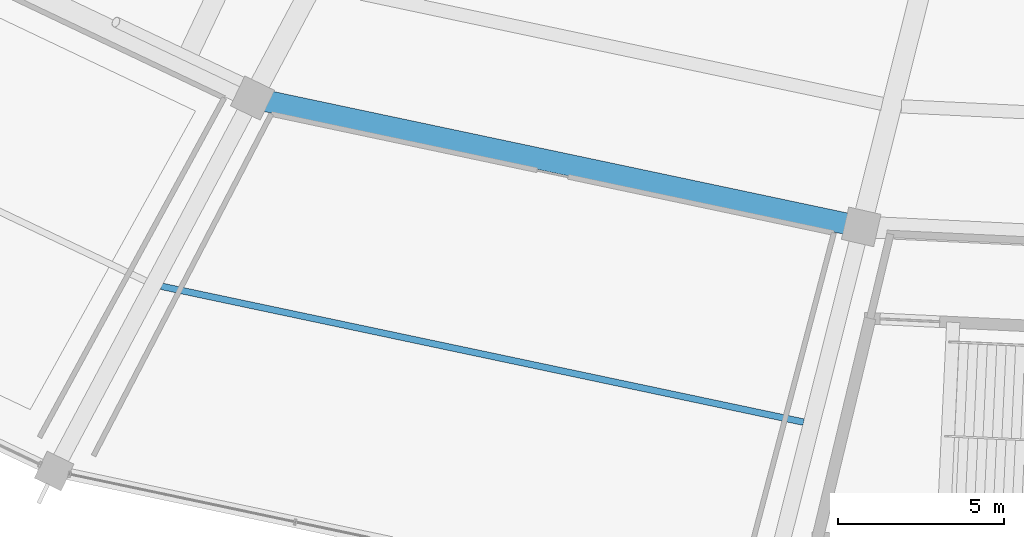
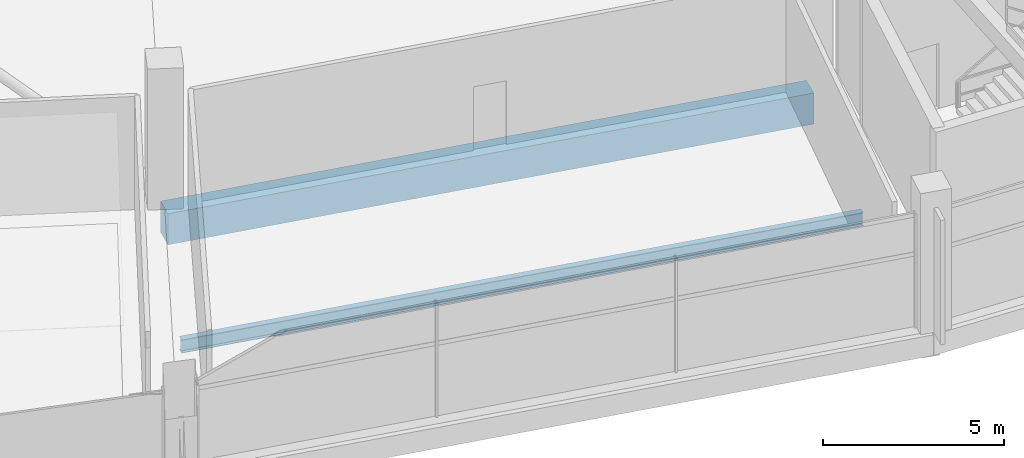
# One storey, part 16 of 156: 2 beams.
"""IFC4 building model written with IfcOpenShell, lengths in metres."""

from ifc_helpers import new_model, si_unit, direction, frame, origin, origin_2d, place, context, subcontext, project, spatial, rectangle, i_section, extrude, material, material_profile, profile_set, type_object, element, save


model = new_model("IFC4")

# Units and contexts
model_context = context("Model", 3, precision=1e-05, world=origin(), true_north=direction((0.0, 1.0)))
body_context = subcontext(model_context, "Body", "Model", "MODEL_VIEW")
ifc_project = project(units=[si_unit("LENGTHUNIT", "METRE"), si_unit("AREAUNIT", "SQUARE_METRE"), si_unit("VOLUMEUNIT", "CUBIC_METRE"), si_unit("PLANEANGLEUNIT", "RADIAN"), si_unit("MASSUNIT", "GRAM", prefix="KILO")], contexts=[model_context])

# Site, building, storey
site_placement = place(None, origin())
site = spatial("IfcSite", under=ifc_project, at=site_placement, CompositionType="ELEMENT")
building_placement = place(site_placement, origin())
building = spatial("IfcBuilding", under=site, at=building_placement, Name="Kazemori Nagisa Stadium", CompositionType="ELEMENT")
storey_placement = place(building_placement, frame((0.0, 0.0, 5.780029296875)))
storey = spatial("IfcBuildingStorey", under=building, at=storey_placement, Name="L01", CompositionType="ELEMENT", Elevation=5.780029296875)

# Beams
ifc_material_1 = material(Name="Concrete C40/50 (Fc42)", Category="concrete")
ifc_material_profile_1 = material_profile(ifc_material_1, rectangle(XDim=0.64990234375, YDim=1.050048828125, at=origin_2d()), Name="RC-BM-650x1050")
ifc_profile_set_1 = profile_set([ifc_material_profile_1], Name="Concrete C40/50 (Fc42)")
beam_type_1 = type_object("IfcBeamType", Name="Beam_BG-RC650X1050", PredefinedType="BEAM", material=ifc_profile_set_1)
beam_1_placement = place(storey_placement, frame((86.18798828125, 32.80078125, -0.804931640625), z_axis=(0.978345149833, -0.206980114499, 0.0), x_axis=(0.206980114499, 0.978345149833, 0.0)))
element("IfcBeam", 1, at=beam_1_placement, inside=storey, type_object=beam_type_1, Name="Ring girder BG-RC650X1050 L01 R2-20", PredefinedType="BEAM", context=body_context, shape_type="SweptSolid", body=[
    extrude(rectangle(XDim=0.64990234375, YDim=1.050048828125, at=origin_2d()), origin(), (0.0, 0.0, 1.0), 18.791259765625),
])
ifc_material_2 = material(Name="Steel SN490B", Category="steel")
ifc_material_profile_2 = material_profile(ifc_material_2, i_section(OverallWidth=0.199951171875, OverallDepth=0.449951171875, WebThickness=0.009033203125, FlangeThickness=0.013916015625, FilletRadius=0.012939453125, at=origin_2d()), Name="H-450x200x9x14")
ifc_profile_set_2 = profile_set([ifc_material_profile_2], Name="Steel SN490B")
beam_type_2 = type_object("IfcBeamType", Name="Beam_BJ-H450", PredefinedType="JOIST", material=ifc_profile_set_2)
beam_2_placement = place(storey_placement, frame((83.431396484375, 27.117431640625, -0.505126953125), z_axis=(0.978345532316, -0.206978306584, 0.0), x_axis=(0.206978306584, 0.978345532316, 0.0)))
element("IfcBeam", 2, at=beam_2_placement, inside=storey, type_object=beam_type_2, Name="Outer bay joist BJ-H450 L01 B20", PredefinedType="JOIST", context=body_context, shape_type="SweptSolid", body=[
    extrude(i_section(OverallWidth=0.199951171875, OverallDepth=0.449951171875, WebThickness=0.009033203125, FlangeThickness=0.013916015625, FilletRadius=0.012939453125, at=origin_2d()), origin(), (0.0, 0.0, 1.0), 19.83056640625),
])

save(model, "model.ifc")
